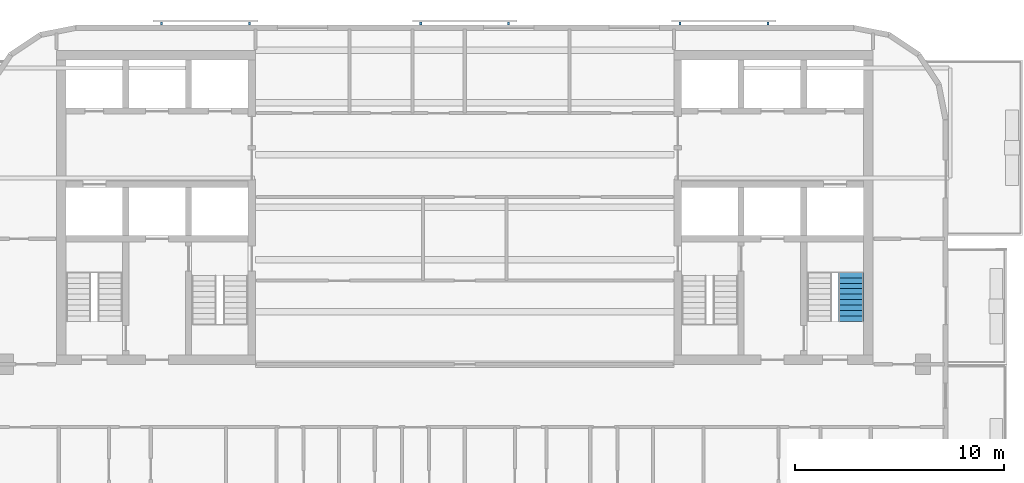
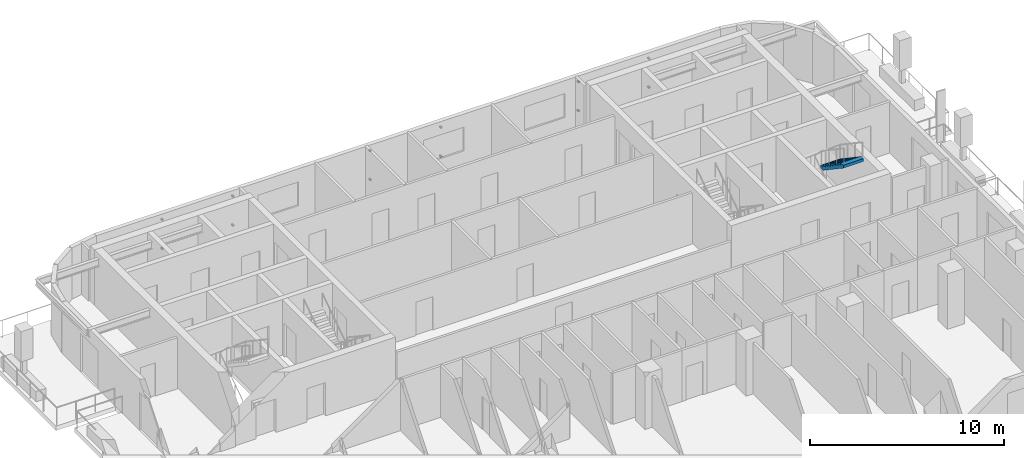
# One storey, part 8 of 11: 12 discrete accessories, 1 stair flight, 1 element without a shape of its own.
"""IFC4 building model written with IfcOpenShell, lengths in metres."""

from ifc_helpers import new_model, si_unit, direction, frame, origin, origin_2d, place, context, subcontext, project, spatial, polyline, rectangle, outline, extrude, material, type_object, element, aggregate, save


model = new_model("IFC4")

# Units and contexts
model_context = context("Model", 3, precision=1e-05, world=origin(), true_north=direction((0.0, 1.0)))
body_context = subcontext(model_context, "Body", "Model", "MODEL_VIEW")
ifc_project = project(units=[si_unit("LENGTHUNIT", "METRE"), si_unit("AREAUNIT", "SQUARE_METRE"), si_unit("VOLUMEUNIT", "CUBIC_METRE"), si_unit("PLANEANGLEUNIT", "RADIAN"), si_unit("MASSUNIT", "GRAM", prefix="KILO")], contexts=[model_context])

# Site, building, storey
site_placement = place(None, origin())
site = spatial("IfcSite", under=ifc_project, at=site_placement, CompositionType="ELEMENT")
building_placement = place(site_placement, origin())
building = spatial("IfcBuilding", under=site, at=building_placement, Name="Torana Hotel and Residences", CompositionType="ELEMENT")
storey_placement = place(building_placement, frame((0.0, 0.0, 263.10009765625)))
storey = spatial("IfcBuildingStorey", under=building, at=storey_placement, Name="L69", CompositionType="ELEMENT", Elevation=263.10009765625)

# Stair, stair flight
ifc_material_1 = material(Name="Concrete C40/50 precast", Category="concrete")
stair_type = type_object("IfcStairType", Name="STAIR ST4 HALF TURN 1200", PredefinedType="HALF_TURN_STAIR", material=ifc_material_1)
stair_placement = place(storey_placement, origin())
stair = element("IfcStair", 1, at=stair_placement, inside=storey, type_object=stair_type, Name="Stair ST4 L69", PredefinedType="HALF_TURN_STAIR")
ifc_material_2 = material(Name="Concrete C40/50 precast", Category="concrete")
stair_flight_type = type_object("IfcStairFlightType", Name="STAIR FLIGHT 1200 PRECAST", PredefinedType="STRAIGHT", material=ifc_material_2)
stair_flight_placement = place(storey_placement, frame((18.449951171875, -10.610107421875, 1.75), z_axis=(0.0, 0.0, 1.0), x_axis=(0.0, -1.0, 0.0)))
stair_flight = element("IfcStairFlight", 2, at=stair_flight_placement, type_object=stair_flight_type, Name="ST4 flight 2", NumberOfRisers=10, NumberOfTreads=9, PredefinedType="STRAIGHT", RiserHeight=0.175, TreadLength=0.26, context=body_context, shape_type="SweptSolid", body=[
    extrude(outline(polyline([(0.0, 0.0), (0.0, 0.175048828125), (0.260009765625, 0.175048828125), (0.260009765625, 0.35009765625), (0.52001953125, 0.35009765625), (0.52001953125, 0.52490234375), (0.780029296875, 0.52490234375), (0.780029296875, 0.699951171875), (1.0400390625, 0.699951171875), (1.0400390625, 0.875), (1.300048828125, 0.875), (1.300048828125, 1.050048828125), (1.56005859375, 1.050048828125), (1.56005859375, 1.22509765625), (1.820068359375, 1.22509765625), (1.820068359375, 1.39990234375), (2.080078125, 1.39990234375), (2.080078125, 1.574951171875), (2.340087890625, 1.574951171875), (2.340087890625, 1.75), (2.340087890625, 1.394287109375), (0.2685546875, 0.0), (0.0, 0.0)])), frame((0.0, 0.60009765625, 0.0), z_axis=(0.0, -1.0, 0.0), x_axis=(1.0, 0.0, 0.0)), (0.0, 0.0, 1.0), 1.199951171875),
])
aggregate(stair, [stair_flight])

# Discrete accessories
ifc_material_3 = material(Name="Steel S355", Category="steel")
discrete_accessory_type = type_object("IfcDiscreteAccessoryType", Name="SCREEN BRACKET 100", PredefinedType="BRACKET", material=ifc_material_3)
for number, where, z_axis, x_axis, name in (
    (3, (14.483642578125, 1.27490234375, 0.749755859375), (0.0, 0.0, 1.0), (-1.0, 0.0, 0.0), "Screen bracket L69"),
    (4, (14.483642578125, 1.27490234375, 2.56982421875), (0.0, 0.0, 1.0), (-1.0, 0.0, 0.0), "Screen bracket L69"),
    (5, (10.28369140625, 1.27490234375, 0.749755859375), (0.0, 0.0, 1.0), (-1.0, 0.0, 0.0), "Screen bracket L69"),
    (6, (10.28369140625, 1.27490234375, 2.56982421875), (0.0, 0.0, 1.0), (-1.0, 0.0, 0.0), "Screen bracket L69"),
    (7, (2.10009765625, 1.27490234375, 0.749755859375), (0.0, 0.0, 1.0), (-1.0, 0.0, 0.0), "Screen bracket L69"),
    (8, (2.10009765625, 1.27490234375, 2.56982421875), (0.0, 0.0, 1.0), (-1.0, 0.0, 0.0), "Screen bracket L69"),
    (9, (-2.10009765625, 1.27490234375, 0.749755859375), (0.0, 0.0, 1.0), (-1.0, 0.0, 0.0), "Screen bracket L69"),
    (10, (-2.10009765625, 1.27490234375, 2.56982421875), (0.0, 0.0, 1.0), (-1.0, 0.0, 0.0), "Screen bracket L69"),
    (11, (-10.28369140625, 1.27490234375, 0.749755859375), (0.0, 0.0, 1.0), (-1.0, 0.0, 0.0), "Screen bracket L69"),
    (12, (-10.28369140625, 1.27490234375, 2.56982421875), (0.0, 0.0, 1.0), (-1.0, 0.0, 0.0), "Screen bracket L69"),
    (13, (-14.483642578125, 1.27490234375, 0.749755859375), (0.0, 0.0, 1.0), (-1.0, 0.0, 0.0), "Screen bracket L69"),
    (14, (-14.483642578125, 1.27490234375, 2.56982421875), (0.0, 0.0, 1.0), (-1.0, 0.0, 0.0), "Screen bracket L69"),
):
    element("IfcDiscreteAccessory", number, at=place(storey_placement, frame(where, z_axis=z_axis, x_axis=x_axis)), inside=storey, type_object=discrete_accessory_type, Name=name, PredefinedType="BRACKET", context=body_context, shape_type="SweptSolid", body=[
        extrude(rectangle(XDim=0.10009765625, YDim=0.14990234375, at=origin_2d()), origin(), (0.0, 0.0, 1.0), 0.10009765625),
    ])

save(model, "model.ifc")
